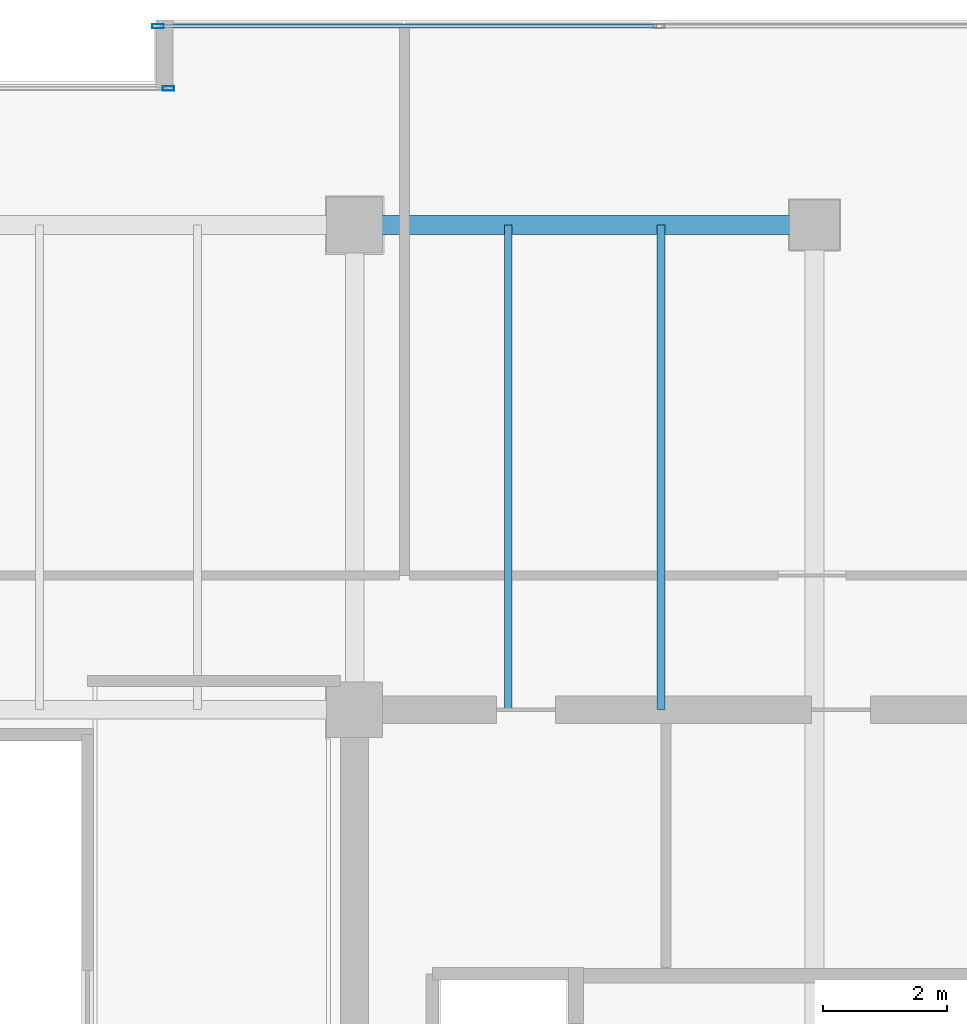
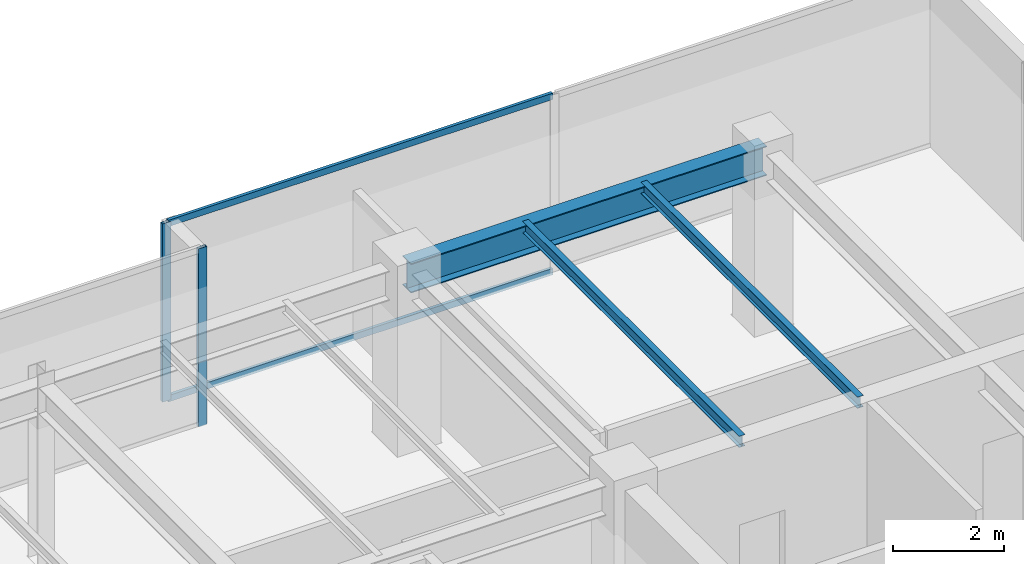
# One storey, part 24 of 34: 4 members, 3 beams, 2 elements without a shape of their own.
"""IFC4 building model written with IfcOpenShell, lengths in metres."""

from ifc_helpers import new_model, si_unit, direction, frame, origin, origin_2d, place, context, subcontext, project, spatial, hollow_rectangle, i_section, extrude, source, transform, mapped, material, layer, layer_set, material_profile, profile_set, type_object, type_shapes, element, aggregate, save


model = new_model("IFC4")

# Units and contexts
model_context = context("Model", 3, precision=1e-05, world=origin(), true_north=direction((0.0, 1.0)))
body_context = subcontext(model_context, "Body", "Model", "MODEL_VIEW")
ifc_project = project(units=[si_unit("LENGTHUNIT", "METRE"), si_unit("AREAUNIT", "SQUARE_METRE"), si_unit("VOLUMEUNIT", "CUBIC_METRE"), si_unit("PLANEANGLEUNIT", "RADIAN"), si_unit("MASSUNIT", "GRAM", prefix="KILO")], contexts=[model_context])

# Site, building, storey
site_placement = place(None, origin())
site = spatial("IfcSite", under=ifc_project, at=site_placement, CompositionType="ELEMENT")
building_placement = place(site_placement, origin())
building = spatial("IfcBuilding", under=site, at=building_placement, Name="Haelvirn Gate Laboratories", CompositionType="ELEMENT")
storey_placement = place(building_placement, frame((0.0, 0.0, 322.800048828125)))
storey = spatial("IfcBuildingStorey", under=building, at=storey_placement, Name="L77", CompositionType="ELEMENT", Elevation=322.800048828125)

# Beams
ifc_material_1 = material(Name="Steel SM355", Category="steel")
ifc_material_profile_1 = material_profile(ifc_material_1, i_section(OverallWidth=0.300048828125, OverallDepth=0.64990234375, WebThickness=0.012939453125, FlangeThickness=0.02197265625, at=origin_2d()), Name="H-650x300x13x22")
ifc_profile_set_1 = profile_set([ifc_material_profile_1], Name="Steel SM355")
beam_type_1 = type_object("IfcBeamType", Name="BM-G-650", PredefinedType="BEAM", material=ifc_profile_set_1)
shared_shape_1 = source(origin(), body_context, "Body", "SweptSolid", [
    extrude(i_section(OverallWidth=0.300048828125, OverallDepth=0.64990234375, WebThickness=0.012939453125, FlangeThickness=0.02197265625, at=origin_2d()), origin(), (0.0, 0.0, 1.0), 7.39990234375),
])
type_shapes(beam_type_1, [shared_shape_1])
beam_placement = place(storey_placement, frame((52.60009765625, 41.60009765625, 3.594970703125), z_axis=(1.0, 0.0, 0.0), x_axis=(0.0, 1.0, 0.0)))
element("IfcBeam", 1, at=beam_placement, inside=storey, type_object=beam_type_1, Name="L77 Primary Girder Y41.6 (52.6-60.0)", PredefinedType="BEAM", context=body_context, shape_type="MappedRepresentation", body=[
    mapped(shared_shape_1, transform((0.0, 0.0, 0.0), scale=1.0)),
])
ifc_material_profile_2 = material_profile(ifc_material_1, i_section(OverallWidth=0.125, OverallDepth=0.25, WebThickness=0.006103515625, FlangeThickness=0.009033203125, at=origin_2d()), Name="H-250x125x6x9")
ifc_profile_set_2 = profile_set([ifc_material_profile_2], Name="Steel SM355")
beam_type_2 = type_object("IfcBeamType", Name="BM-J-250", PredefinedType="JOIST", material=ifc_profile_set_2)
shared_shape_2 = source(origin(), body_context, "Body", "SweptSolid", [
    extrude(i_section(OverallWidth=0.125, OverallDepth=0.25, WebThickness=0.006103515625, FlangeThickness=0.009033203125, at=origin_2d()), origin(), (0.0, 0.0, 1.0), 7.800048828125),
])
type_shapes(beam_type_2, [shared_shape_2])
for number, where, z_axis, x_axis, name in (
    (2, (55.070068359375, 33.800048828125, 3.794921875), (0.0, 1.0, 0.0), (-1.0, 0.0, 0.0), "L77 Composite Lab Joist North X55.07"),
    (3, (57.530029296875, 33.800048828125, 3.794921875), (0.0, 1.0, 0.0), (-1.0, 0.0, 0.0), "L77 Composite Lab Joist North X57.53"),
):
    element("IfcBeam", number, at=place(storey_placement, frame(where, z_axis=z_axis, x_axis=x_axis)), inside=storey, type_object=beam_type_2, Name=name, PredefinedType="JOIST", context=body_context, shape_type="MappedRepresentation", body=[
        mapped(shared_shape_2, transform((0.0, 0.0, 0.0), scale=1.0)),
    ])

# Curtain wall, members
ifc_material_2 = material(Name="Anodised bronze unitised aluminium & triple low-E glass", Category="aluminium")
ifc_layer = layer(ifc_material_2, 0.176025390625, Name="CW-SYS-4")
ifc_layer_set = layer_set([ifc_layer], Name="Anodised bronze unitised aluminium & triple low-E glass")
curtain_wall_type = type_object("IfcCurtainWallType", Name="CW-SYS-4", PredefinedType="NOTDEFINED", material=ifc_layer_set)
curtain_wall_1_placement = place(storey_placement, origin())
curtain_wall_1 = element("IfcCurtainWall", 4, at=curtain_wall_1_placement, inside=storey, type_object=curtain_wall_type, Name="L77 Unitised Curtain Wall CW-L77-P0-E10-1", PredefinedType="NOTDEFINED")
ifc_material_3 = material(Name="Extruded aluminium 6063-T6 (anodised bronze)", Category="aluminium")
ifc_material_profile_3 = material_profile(ifc_material_3, hollow_rectangle(XDim=0.06494140625, YDim=0.139892578125, WallThickness=0.00390625, at=origin_2d()), Name="CWT-140x65x4")
ifc_profile_set_3 = profile_set([ifc_material_profile_3], Name="Extruded aluminium 6063-T6 (anodised bronze)")
member_type_1 = type_object("IfcMemberType", Name="CWT-T140", PredefinedType="USERDEFINED", material=ifc_profile_set_3)
shared_shape_3 = source(origin(), body_context, "Body", "SweptSolid", [
    extrude(hollow_rectangle(XDim=0.06494140625, YDim=0.139892578125, WallThickness=0.00390625, at=origin_2d()), origin(), (0.0, 0.0, 1.0), 7.9951171875),
])
type_shapes(member_type_1, [shared_shape_3])
member_1_placement = place(storey_placement, frame((49.469970703125, 44.800048828125, 0.032470703125), z_axis=(1.0, 0.0, 0.0), x_axis=(0.0, 1.0, 0.0)))
member_1 = element("IfcMember", 5, at=member_1_placement, type_object=member_type_1, Name="CW4 transom 1.1", ObjectType="TRANSOM", PredefinedType="USERDEFINED", context=body_context, shape_type="MappedRepresentation", body=[
    mapped(shared_shape_3, transform((0.0, 0.0, 0.0), scale=1.0)),
])
member_2_placement = place(storey_placement, frame((49.469970703125, 44.800048828125, 3.887451171875), z_axis=(1.0, 0.0, 0.0), x_axis=(0.0, 1.0, 0.0)))
member_2 = element("IfcMember", 6, at=member_2_placement, type_object=member_type_1, Name="CW4 transom 1.2", ObjectType="TRANSOM", PredefinedType="USERDEFINED", context=body_context, shape_type="MappedRepresentation", body=[
    mapped(shared_shape_3, transform((0.0, 0.0, 0.0), scale=1.0)),
])
ifc_material_profile_4 = material_profile(ifc_material_3, hollow_rectangle(XDim=0.070068359375, YDim=0.179931640625, WallThickness=0.0048828125, at=origin_2d()), Name="CWM-180x70x5")
ifc_profile_set_4 = profile_set([ifc_material_profile_4], Name="Extruded aluminium 6063-T6 (anodised bronze)")
member_type_2 = type_object("IfcMemberType", Name="CWM-T180", PredefinedType="MULLION", material=ifc_profile_set_4)
shared_shape_4 = source(origin(), body_context, "Body", "SweptSolid", [
    extrude(hollow_rectangle(XDim=0.070068359375, YDim=0.179931640625, WallThickness=0.0048828125, at=origin_2d()), origin(), (0.0, 0.0, 1.0), 3.919921875),
])
type_shapes(member_type_2, [shared_shape_4])
member_3_placement = place(storey_placement, frame((49.43505859375, 44.800048828125, 0.0), z_axis=(0.0, 0.0, 1.0), x_axis=(0.0, 1.0, 0.0)))
member_3 = element("IfcMember", 7, at=member_3_placement, type_object=member_type_2, Name="CW4 mullion 1", PredefinedType="MULLION", context=body_context, shape_type="MappedRepresentation", body=[
    mapped(shared_shape_4, transform((0.0, 0.0, 0.0), scale=1.0)),
])
aggregate(curtain_wall_1, [member_3, member_1, member_2])

# Curtain wall, member
curtain_wall_2_placement = place(storey_placement, origin())
curtain_wall_2 = element("IfcCurtainWall", 8, at=curtain_wall_2_placement, inside=storey, type_object=curtain_wall_type, Name="L77 Unitised Curtain Wall CW-L77-P0-E12-1", PredefinedType="NOTDEFINED")
member_4_placement = place(storey_placement, frame((49.60498046875, 43.800048828125, 0.0), z_axis=(0.0, 0.0, 1.0), x_axis=(0.0, 1.0, 0.0)))
member_4 = element("IfcMember", 9, at=member_4_placement, type_object=member_type_2, Name="CW4 mullion 3", PredefinedType="MULLION", context=body_context, shape_type="MappedRepresentation", body=[
    mapped(shared_shape_4, transform((0.0, 0.0, 0.0), scale=1.0)),
])
aggregate(curtain_wall_2, [member_4])

save(model, "model.ifc")
